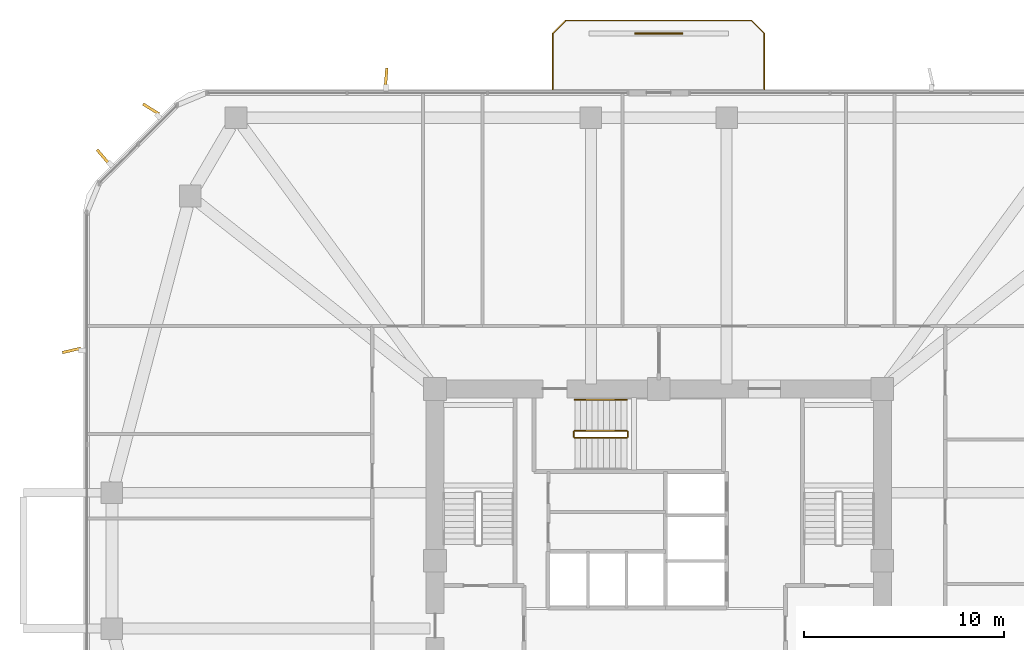
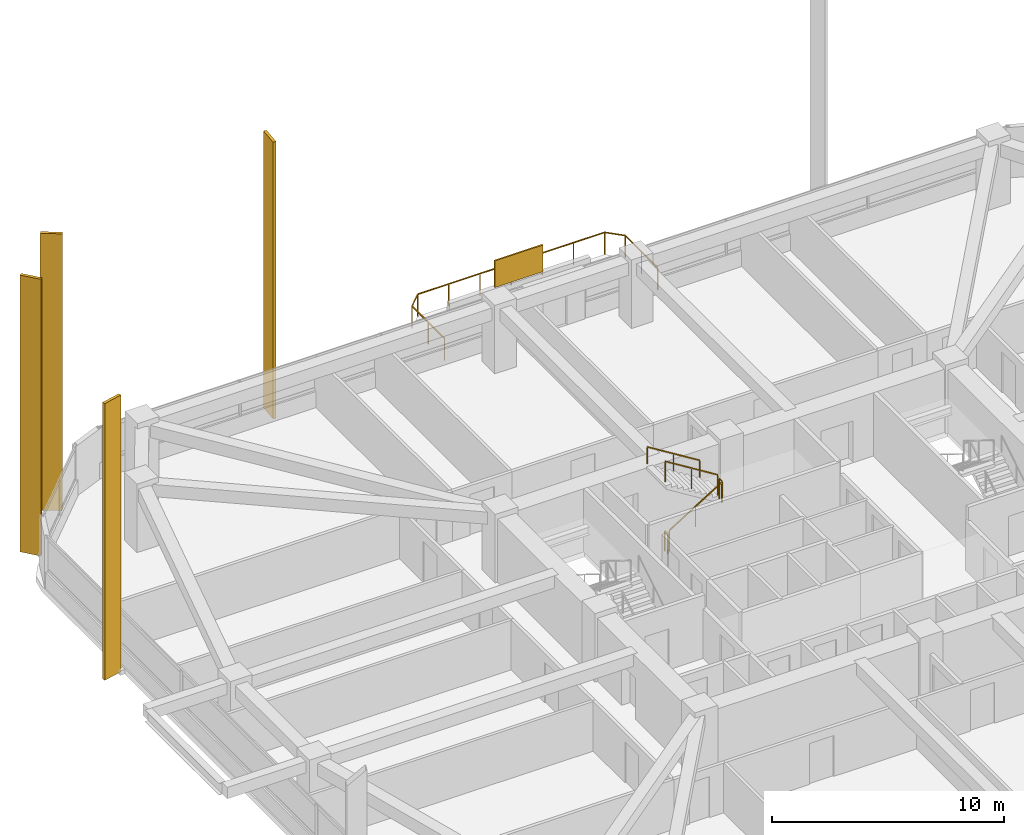
# One storey, part 16 of 17: 6 railings, 5 shading devices.
"""IFC4 building model written with IfcOpenShell, lengths in metres."""

from ifc_helpers import new_model, si_unit, derived_unit, direction, frame, origin, origin_2d, place, context, subcontext, project, spatial, rectangle, extrude, material, layer, layer_set, type_object, element, save


model = new_model("IFC4")

# Units and contexts
model_context = context("Model", 3, precision=1e-05, world=origin(), true_north=direction((0.0, 1.0)))
body_context = subcontext(model_context, "Body", "Model", "MODEL_VIEW")
ifc_project = project(units=[si_unit("LENGTHUNIT", "METRE"), si_unit("AREAUNIT", "SQUARE_METRE"), si_unit("VOLUMEUNIT", "CUBIC_METRE"), si_unit("PLANEANGLEUNIT", "RADIAN"), si_unit("MASSUNIT", "GRAM", prefix="KILO"), derived_unit("THERMALTRANSMITTANCEUNIT", [(si_unit("POWERUNIT", "WATT"), 1), (si_unit("LENGTHUNIT", "METRE"), -2), (si_unit("THERMODYNAMICTEMPERATUREUNIT", "KELVIN"), -1)])], contexts=[model_context])

# Site, building, storey
site_placement = place(None, origin())
site = spatial("IfcSite", under=ifc_project, at=site_placement, CompositionType="ELEMENT")
building_placement = place(site_placement, origin())
building = spatial("IfcBuilding", under=site, at=building_placement, Name="Koralith Skygarden Medical Center", CompositionType="ELEMENT")
storey_placement = place(building_placement, frame((0.0, 0.0, 38.340087890625)))
storey = spatial("IfcBuildingStorey", under=building, at=storey_placement, Name="L09", CompositionType="ELEMENT", Elevation=38.340087890625)

# Shading devices
ifc_material_1 = material(Name="Aluminium 6063-T6", Category="aluminium")
shading_device_type_1 = type_object("IfcShadingDeviceType", Name="Limestone-Clad Solar Storm Fin 950", PredefinedType="USERDEFINED", material=ifc_material_1)
for number, where, z_axis, x_axis, name in (
    (1, (23.35009765625, 50.094970703125, -0.2001953125), (0.0, 0.0, 1.0), (0.07849389466, 0.996914594387, 0.0), "L09 N Harmonic Solar Storm Fin 2"),
    (2, (11.577880859375, 48.52001953125, -0.2001953125), (0.0, 0.0, 1.0), (-0.850379776327, 0.526169398592, 0.0), "L09 NW Harmonic Solar Storm Fin 1"),
    (3, (9.179931640625, 46.1220703125, -0.2001953125), (0.0, 0.0, 1.0), (-0.649421504759, 0.76042863515, 0.0), "L09 NW Harmonic Solar Storm Fin 2"),
    (4, (7.60498046875, 36.429931640625, -0.2001953125), (0.0, 0.0, 1.0), (-0.973367256222, -0.229251356627, 0.0), "L09 W Harmonic Solar Storm Fin 1"),
):
    element("IfcShadingDevice", number, at=place(storey_placement, frame(where, z_axis=z_axis, x_axis=x_axis)), inside=storey, type_object=shading_device_type_1, Name=name, ObjectType="SOLAR FIN", PredefinedType="USERDEFINED", context=body_context, shape_type="SweptSolid", body=[
        extrude(rectangle(XDim=0.949951171875, YDim=0.139892578125, at=origin_2d()), origin(), (0.0, 0.0, 1.0), 14.550048828125),
    ])

# Railing
ifc_material_2 = material(Name="Steel ASTM A500 Grade C", Category="steel")
railing_type_1 = type_object("IfcRailingType", Name="Outdoor Terrace & Balcony Safety Guardrail 1180", PredefinedType="GUARDRAIL", material=ifc_material_2)
railing_1_placement = place(storey_placement, frame((42.300048828125, 49.5, 0.0)))
element("IfcRailing", 5, at=railing_1_placement, inside=storey, type_object=railing_type_1, Name="L09 N Balcony Perimeter Guardrail", PredefinedType="GUARDRAIL", context=body_context, shape_type="SweptSolid", body=[
    extrude(rectangle(XDim=0.050048828125, YDim=0.050048828125, at=origin_2d()), frame((0.0, 0.001953125, 1.15478515625), z_axis=(0.0, 1.0, 0.0), x_axis=(-1.0, 0.0, 0.0)), (0.0, 0.0, 1.0), 2.796142578125),
    extrude(rectangle(XDim=0.050048828125, YDim=0.050048828125, at=origin_2d()), frame((-0.00146484375, 2.801513671875, 1.15478515625), z_axis=(-0.707239558722, 0.706973978714, 0.0), x_axis=(-0.706973978714, -0.707239558722, 0.0)), (0.0, 0.0, 1.0), 0.915283203125),
    extrude(rectangle(XDim=0.050048828125, YDim=0.050048828125, at=origin_2d()), frame((-0.652099609375, 3.449951171875, 1.15478515625), z_axis=(-1.0, 0.0, 0.0), x_axis=(0.0, -1.0, 0.0)), (0.0, 0.0, 1.0), 9.2958984375),
    extrude(rectangle(XDim=0.050048828125, YDim=0.050048828125, at=origin_2d()), frame((-9.951416015625, 3.448486328125, 1.15478515625), z_axis=(-0.707239558722, -0.706973978714, 0.0), x_axis=(0.706973978714, -0.707239558722, 0.0)), (0.0, 0.0, 1.0), 0.915283203125),
    extrude(rectangle(XDim=0.050048828125, YDim=0.050048828125, at=origin_2d()), frame((-10.60009765625, 2.798095703125, 1.15478515625), z_axis=(0.0, -1.0, 0.0), x_axis=(1.0, 0.0, 0.0)), (0.0, 0.0, 1.0), 2.796142578125),
    extrude(rectangle(XDim=0.0419921875, YDim=0.0419921875, at=origin_2d()), origin(), (0.0, 0.0, 1.0), 1.1279296875),
    extrude(rectangle(XDim=0.0419921875, YDim=0.0419921875, at=origin_2d()), frame((0.0, 1.39990234375, 0.0)), (0.0, 0.0, 1.0), 1.1279296875),
    extrude(rectangle(XDim=0.0419921875, YDim=0.0419921875, at=origin_2d()), frame((0.0, 2.800048828125, 0.0)), (0.0, 0.0, 1.0), 1.1279296875),
    extrude(rectangle(XDim=0.0419921875, YDim=0.0419921875, at=origin_2d()), frame((-0.650146484375, 3.449951171875, 0.0)), (0.0, 0.0, 1.0), 1.1279296875),
    extrude(rectangle(XDim=0.0419921875, YDim=0.0419921875, at=origin_2d()), frame((-2.2001953125, 3.449951171875, 0.0)), (0.0, 0.0, 1.0), 1.1279296875),
    extrude(rectangle(XDim=0.0419921875, YDim=0.0419921875, at=origin_2d()), frame((-3.75, 3.449951171875, 0.0)), (0.0, 0.0, 1.0), 1.1279296875),
    extrude(rectangle(XDim=0.0419921875, YDim=0.0419921875, at=origin_2d()), frame((-5.300048828125, 3.449951171875, 0.0)), (0.0, 0.0, 1.0), 1.1279296875),
    extrude(rectangle(XDim=0.0419921875, YDim=0.0419921875, at=origin_2d()), frame((-6.85009765625, 3.449951171875, 0.0)), (0.0, 0.0, 1.0), 1.1279296875),
    extrude(rectangle(XDim=0.0419921875, YDim=0.0419921875, at=origin_2d()), frame((-8.39990234375, 3.449951171875, 0.0)), (0.0, 0.0, 1.0), 1.1279296875),
    extrude(rectangle(XDim=0.0419921875, YDim=0.0419921875, at=origin_2d()), frame((-9.949951171875, 3.449951171875, 0.0)), (0.0, 0.0, 1.0), 1.1279296875),
    extrude(rectangle(XDim=0.0419921875, YDim=0.0419921875, at=origin_2d()), frame((-10.60009765625, 2.800048828125, 0.0)), (0.0, 0.0, 1.0), 1.1279296875),
    extrude(rectangle(XDim=0.0419921875, YDim=0.0419921875, at=origin_2d()), frame((-10.60009765625, 1.39990234375, 0.0)), (0.0, 0.0, 1.0), 1.1279296875),
    extrude(rectangle(XDim=0.0419921875, YDim=0.0419921875, at=origin_2d()), frame((-10.60009765625, 0.0, 0.0)), (0.0, 0.0, 1.0), 1.1279296875),
])

# Shading device
ifc_layer = layer(ifc_material_1, 0.080078125)
ifc_layer_set = layer_set([ifc_layer], Name="Aluminium 6063-T6")
shading_device_type_2 = type_object("IfcShadingDeviceType", Name="Perforated Biophilic Balcony Trellis Screen", PredefinedType="USERDEFINED", material=ifc_layer_set)
shading_device_placement = place(storey_placement, frame((37.0, 52.300048828125, 0.719970703125), z_axis=(0.0, 0.0, 1.0), x_axis=(1.0, 0.0, 0.0)))
element("IfcShadingDevice", 6, at=shading_device_placement, inside=storey, type_object=shading_device_type_2, Name="L09 N Biophilic Balcony Trellis Screen", ObjectType="HURRICANE SCREEN", PredefinedType="USERDEFINED", context=body_context, shape_type="SweptSolid", body=[
    extrude(rectangle(XDim=2.39990234375, YDim=0.080078125, at=origin_2d()), origin(), (0.0, 0.0, 1.0), 1.39990234375),
])

# Railings
railing_type_2 = type_object("IfcRailingType", Name="Stair Flight Tubular Handrail 920", PredefinedType="HANDRAIL", material=ifc_material_2)
railing_2_placement = place(storey_placement, frame((35.409912109375, 33.949951171875, 1.97998046875)))
element("IfcRailing", 7, at=railing_2_placement, inside=storey, type_object=railing_type_2, Name="L09 ST3 stair handrail 2", PredefinedType="HANDRAIL", context=body_context, shape_type="SweptSolid", body=[
    extrude(rectangle(XDim=0.050048828125, YDim=0.050048828125, at=origin_2d()), frame((-0.001708984375, 0.0, 0.89599609375), z_axis=(-0.849646306263, 0.0, 0.527352969322), x_axis=(0.0, -1.0, 0.0)), (0.0, 0.0, 1.0), 3.067626953125),
    extrude(rectangle(XDim=0.0419921875, YDim=0.0419921875, at=origin_2d()), origin(), (0.0, 0.0, 1.0), 0.867919921875),
    extrude(rectangle(XDim=0.0419921875, YDim=0.0419921875, at=origin_2d()), frame((-1.304931640625, 0.0, 0.81005859375)), (0.0, 0.0, 1.0), 0.867919921875),
    extrude(rectangle(XDim=0.0419921875, YDim=0.0419921875, at=origin_2d()), frame((-2.60986328125, 0.0, 1.619873046875)), (0.0, 0.0, 1.0), 0.867919921875),
])
railing_type_3 = type_object("IfcRailingType", Name="Stair Well Safety Guardrail 1100", PredefinedType="GUARDRAIL", material=ifc_material_2)
railing_3_placement = place(storey_placement, frame((32.800048828125, 32.050048828125, 0.179931640625)))
element("IfcRailing", 8, at=railing_3_placement, inside=storey, type_object=railing_type_3, Name="L09 ST3 stair guard 1", PredefinedType="GUARDRAIL", context=body_context, shape_type="SweptSolid", body=[
    extrude(rectangle(XDim=0.050048828125, YDim=0.050048828125, at=origin_2d()), frame((0.001708984375, 0.0, 1.076171875), z_axis=(0.849646306263, 0.0, 0.527352969322), x_axis=(0.0, 1.0, 0.0)), (0.0, 0.0, 1.0), 3.067626953125),
    extrude(rectangle(XDim=0.0419921875, YDim=0.0419921875, at=origin_2d()), origin(), (0.0, 0.0, 1.0), 1.048095703125),
    extrude(rectangle(XDim=0.0419921875, YDim=0.0419921875, at=origin_2d()), frame((1.304931640625, 0.0, 0.81005859375)), (0.0, 0.0, 1.0), 1.048095703125),
    extrude(rectangle(XDim=0.0419921875, YDim=0.0419921875, at=origin_2d()), frame((2.60986328125, 0.0, 1.619873046875)), (0.0, 0.0, 1.0), 1.048095703125),
])
railing_4_placement = place(storey_placement, frame((35.4599609375, 32.10009765625, 1.7998046875)))
element("IfcRailing", 9, at=railing_4_placement, inside=storey, type_object=railing_type_3, Name="L09 ST3 stair guard 2", PredefinedType="GUARDRAIL", context=body_context, shape_type="SweptSolid", body=[
    extrude(rectangle(XDim=0.050048828125, YDim=0.050048828125, at=origin_2d()), frame((0.0, 0.001953125, 1.0751953125), z_axis=(0.0, 1.0, 0.0), x_axis=(-1.0, 0.0, 0.0)), (0.0, 0.0, 1.0), 0.24609375),
    extrude(rectangle(XDim=0.0419921875, YDim=0.0419921875, at=origin_2d()), origin(), (0.0, 0.0, 1.0), 1.048095703125),
    extrude(rectangle(XDim=0.0419921875, YDim=0.0419921875, at=origin_2d()), frame((0.0, 0.25, 0.0)), (0.0, 0.0, 1.0), 1.048095703125),
])
railing_5_placement = place(storey_placement, frame((35.409912109375, 32.39990234375, 1.97998046875)))
element("IfcRailing", 10, at=railing_5_placement, inside=storey, type_object=railing_type_3, Name="L09 ST3 stair guard 3", PredefinedType="GUARDRAIL", context=body_context, shape_type="SweptSolid", body=[
    extrude(rectangle(XDim=0.050048828125, YDim=0.050048828125, at=origin_2d()), frame((-0.001708984375, 0.0, 1.076171875), z_axis=(-0.849646306263, 0.0, 0.527352969322), x_axis=(0.0, -1.0, 0.0)), (0.0, 0.0, 1.0), 3.067626953125),
    extrude(rectangle(XDim=0.0419921875, YDim=0.0419921875, at=origin_2d()), origin(), (0.0, 0.0, 1.0), 1.048095703125),
    extrude(rectangle(XDim=0.0419921875, YDim=0.0419921875, at=origin_2d()), frame((-1.304931640625, 0.0, 0.81005859375)), (0.0, 0.0, 1.0), 1.048095703125),
    extrude(rectangle(XDim=0.0419921875, YDim=0.0419921875, at=origin_2d()), frame((-2.60986328125, 0.0, 1.619873046875)), (0.0, 0.0, 1.0), 1.048095703125),
])
railing_6_placement = place(storey_placement, frame((32.75, 32.10009765625, 0.0)))
element("IfcRailing", 11, at=railing_6_placement, inside=storey, type_object=railing_type_3, Name="L09 ST3 stair guard 4", PredefinedType="GUARDRAIL", context=body_context, shape_type="SweptSolid", body=[
    extrude(rectangle(XDim=0.050048828125, YDim=0.050048828125, at=origin_2d()), frame((0.0, 0.001953125, 1.0751953125), z_axis=(0.0, 1.0, 0.0), x_axis=(-1.0, 0.0, 0.0)), (0.0, 0.0, 1.0), 0.24609375),
    extrude(rectangle(XDim=0.0419921875, YDim=0.0419921875, at=origin_2d()), origin(), (0.0, 0.0, 1.0), 1.048095703125),
    extrude(rectangle(XDim=0.0419921875, YDim=0.0419921875, at=origin_2d()), frame((0.0, 0.25, 0.0)), (0.0, 0.0, 1.0), 1.048095703125),
])

save(model, "model.ifc")
